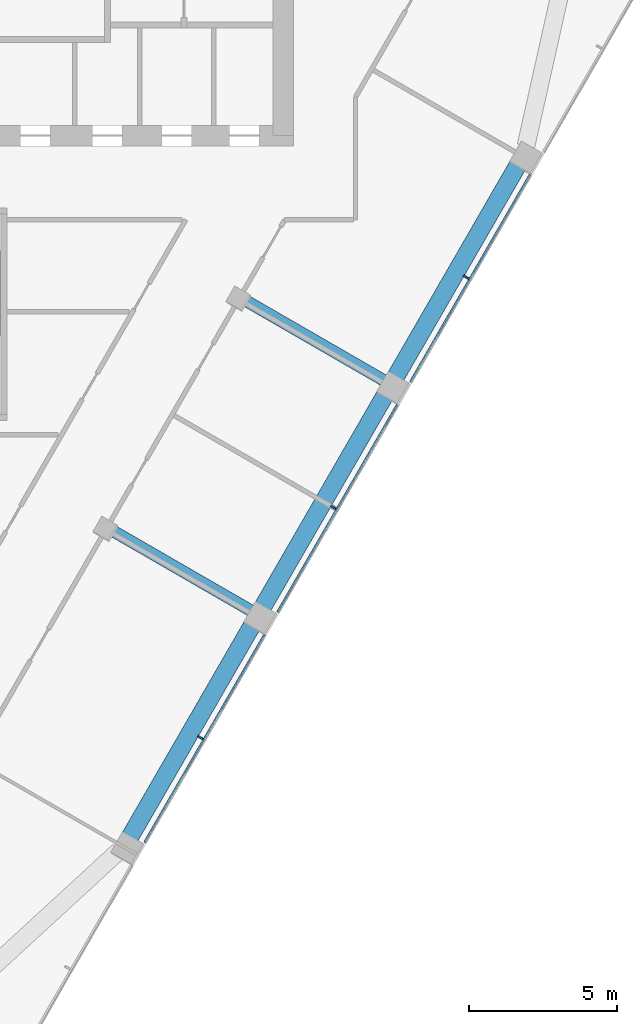
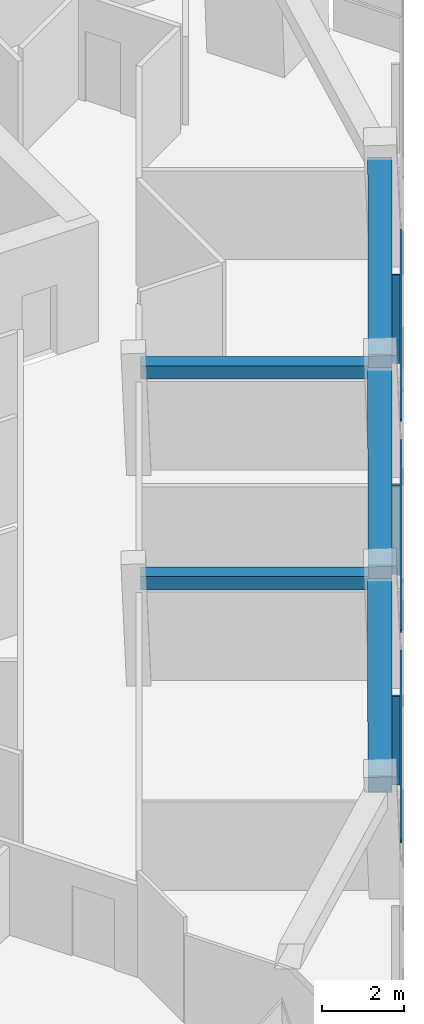
# One storey, part 4 of 12: 6 members, 5 beams, 1 element without a shape of its own.
"""IFC4 building model written with IfcOpenShell, lengths in metres."""

from ifc_helpers import new_model, si_unit, direction, frame, origin, origin_2d, place, context, subcontext, project, spatial, rectangle, extrude, material, layer, layer_set, material_profile, profile_set, type_object, element, aggregate, save


model = new_model("IFC4")

# Units and contexts
model_context = context("Model", 3, precision=1e-05, world=origin(), true_north=direction((0.0, 1.0)))
body_context = subcontext(model_context, "Body", "Model", "MODEL_VIEW")
ifc_project = project(units=[si_unit("LENGTHUNIT", "METRE"), si_unit("AREAUNIT", "SQUARE_METRE"), si_unit("VOLUMEUNIT", "CUBIC_METRE"), si_unit("PLANEANGLEUNIT", "RADIAN"), si_unit("MASSUNIT", "GRAM", prefix="KILO")], contexts=[model_context])

# Site, building, storey
site_placement = place(None, origin())
site = spatial("IfcSite", under=ifc_project, at=site_placement, CompositionType="ELEMENT")
building_placement = place(site_placement, origin())
building = spatial("IfcBuilding", under=site, at=building_placement, Name="Altiplano Prism Tower", CompositionType="ELEMENT")
storey_placement = place(building_placement, frame((0.0, 0.0, 205.199951171875)))
storey = spatial("IfcBuildingStorey", under=building, at=storey_placement, Name="L53", CompositionType="ELEMENT", Elevation=205.199951171875)

# Curtain wall, members
ifc_material_1 = material(Name="Aluminium and glass", Category="aluminium")
ifc_layer = layer(ifc_material_1, 0.303955078125)
ifc_layer_set = layer_set([ifc_layer], Name="Aluminium and glass")
curtain_wall_type = type_object("IfcCurtainWallType", Name="CW2 lounge-band unitised glazing", PredefinedType="NOTDEFINED", material=ifc_layer_set)
curtain_wall_placement = place(storey_placement, origin())
curtain_wall = element("IfcCurtainWall", 1, at=curtain_wall_placement, inside=storey, type_object=curtain_wall_type, Name="CW2 curtain wall south-east face L53", PredefinedType="NOTDEFINED")
ifc_material_2 = material(Name="Aluminium", Category="aluminium")
ifc_material_profile_1 = material_profile(ifc_material_2, rectangle(XDim=0.199951171875, YDim=0.06005859375, at=origin_2d()), Name="CW2 mullion 60 x 200")
ifc_profile_set_1 = profile_set([ifc_material_profile_1], Name="Aluminium")
member_type_1 = type_object("IfcMemberType", Name="CW2 mullion 60 x 200", PredefinedType="MULLION", material=ifc_profile_set_1)
member_1_placement = place(storey_placement, frame((94.55029296875, 72.665771484375, 0.0), z_axis=(0.0, 0.0, 1.0), x_axis=(-0.866025406943, 0.499999994528, 0.0)))
member_1 = element("IfcMember", 2, at=member_1_placement, type_object=member_type_1, Name="CW2 mullion", PredefinedType="MULLION", context=body_context, shape_type="SweptSolid", body=[
    extrude(rectangle(XDim=0.199951171875, YDim=0.06005859375, at=origin_2d()), origin(), (0.0, 0.0, 1.0), 2.650146484375),
])
member_2_placement = place(storey_placement, frame((99.05029296875, 80.4599609375, 0.0), z_axis=(0.0, 0.0, 1.0), x_axis=(-0.866025406943, 0.499999994528, 0.0)))
member_2 = element("IfcMember", 3, at=member_2_placement, type_object=member_type_1, Name="CW2 mullion", PredefinedType="MULLION", context=body_context, shape_type="SweptSolid", body=[
    extrude(rectangle(XDim=0.199951171875, YDim=0.06005859375, at=origin_2d()), origin(), (0.0, 0.0, 1.0), 2.650146484375),
])
member_3_placement = place(storey_placement, frame((103.55029296875, 88.254150390625, 0.0), z_axis=(0.0, 0.0, 1.0), x_axis=(-0.866025406943, 0.499999994528, 0.0)))
member_3 = element("IfcMember", 4, at=member_3_placement, type_object=member_type_1, Name="CW2 mullion", PredefinedType="MULLION", context=body_context, shape_type="SweptSolid", body=[
    extrude(rectangle(XDim=0.199951171875, YDim=0.06005859375, at=origin_2d()), origin(), (0.0, 0.0, 1.0), 2.650146484375),
])
ifc_material_profile_2 = material_profile(ifc_material_2, rectangle(XDim=0.06005859375, YDim=0.080078125, at=origin_2d()), Name="CW2 transom 80 x 60")
ifc_profile_set_2 = profile_set([ifc_material_profile_2], Name="Aluminium")
member_type_2 = type_object("IfcMemberType", Name="CW2 transom 80 x 60", PredefinedType="USERDEFINED", material=ifc_profile_set_2)
member_4_placement = place(storey_placement, frame((92.65283203125, 69.118896484375, 1.10009765625), z_axis=(0.499990533176, 0.866030869389, 0.0), x_axis=(-0.866030869389, 0.499990533176, 0.0)))
member_4 = element("IfcMember", 5, at=member_4_placement, type_object=member_type_2, Name="CW2 transom", ObjectType="TRANSOM", PredefinedType="USERDEFINED", context=body_context, shape_type="SweptSolid", body=[
    extrude(rectangle(XDim=0.06005859375, YDim=0.080078125, at=origin_2d()), origin(), (0.0, 0.0, 1.0), 8.119873046875),
])
member_5_placement = place(storey_placement, frame((97.15283203125, 76.9130859375, 1.10009765625), z_axis=(0.499977514064, 0.866038385657, 0.0), x_axis=(-0.866038385657, 0.499977514064, 0.0)))
member_5 = element("IfcMember", 6, at=member_5_placement, type_object=member_type_2, Name="CW2 transom", ObjectType="TRANSOM", PredefinedType="USERDEFINED", context=body_context, shape_type="SweptSolid", body=[
    extrude(rectangle(XDim=0.06005859375, YDim=0.080078125, at=origin_2d()), origin(), (0.0, 0.0, 1.0), 8.119873046875),
])
member_6_placement = place(storey_placement, frame((101.65283203125, 84.70751953125, 1.10009765625), z_axis=(0.499990533176, 0.866030869389, 0.0), x_axis=(-0.866030869389, 0.499990533176, 0.0)))
member_6 = element("IfcMember", 7, at=member_6_placement, type_object=member_type_2, Name="CW2 transom", ObjectType="TRANSOM", PredefinedType="USERDEFINED", context=body_context, shape_type="SweptSolid", body=[
    extrude(rectangle(XDim=0.06005859375, YDim=0.080078125, at=origin_2d()), origin(), (0.0, 0.0, 1.0), 8.119873046875),
])
aggregate(curtain_wall, [member_1, member_4, member_2, member_5, member_3, member_6])

# Beams
ifc_material_3 = material(Name="Concrete C60/75", Category="concrete")
ifc_material_profile_3 = material_profile(ifc_material_3, rectangle(XDim=0.60009765625, YDim=0.5, at=origin_2d()), Name="Edge beam 600x500")
ifc_profile_set_3 = profile_set([ifc_material_profile_3], Name="Concrete C60/75")
beam_type_1 = type_object("IfcBeamType", Name="Edge beam 600x500", PredefinedType="SPANDREL", material=ifc_profile_set_3)
for number, where, z_axis, x_axis, name in (
    (8, (92.1474609375, 69.272705078125, 2.900146484375), (0.499993714791, 0.866029032521, 0.0), (-0.866029032521, 0.499993714791, 0.0), "Edge beam P21-P22 L54"),
    (9, (96.6474609375, 77.06689453125, 2.900146484375), (0.499993714791, 0.866029032521, 0.0), (-0.866029032521, 0.499993714791, 0.0), "Edge beam P22-P23 L54"),
    (10, (101.1474609375, 84.861083984375, 2.900146484375), (0.499993714791, 0.866029032521, 0.0), (-0.866029032521, 0.499993714791, 0.0), "Edge beam P23-P24 L54"),
):
    element("IfcBeam", number, at=place(storey_placement, frame(where, z_axis=z_axis, x_axis=x_axis)), inside=storey, type_object=beam_type_1, Name=name, PredefinedType="SPANDREL", context=body_context, shape_type="SweptSolid", body=[
        extrude(rectangle(XDim=0.60009765625, YDim=0.5, at=origin_2d()), origin(), (0.0, 0.0, 1.0), 8.43994140625),
    ])
ifc_material_profile_4 = material_profile(ifc_material_3, rectangle(XDim=0.39990234375, YDim=0.39990234375, at=origin_2d()), Name="Tie beam 400x400")
ifc_profile_set_4 = profile_set([ifc_material_profile_4], Name="Concrete C60/75")
beam_type_2 = type_object("IfcBeamType", Name="Tie beam 400x400", PredefinedType="BEAM", material=ifc_profile_set_4)
beam_1_placement = place(storey_placement, frame((91.423828125, 79.759521484375, 2.949951171875), z_axis=(0.866011758658, -0.500023633308, 0.0), x_axis=(0.500023633308, 0.866011758658, 0.0)))
element("IfcBeam", 11, at=beam_1_placement, inside=storey, type_object=beam_type_2, Name="Tie beam I22 L54", PredefinedType="BEAM", context=body_context, shape_type="SweptSolid", body=[
    extrude(rectangle(XDim=0.39990234375, YDim=0.39990234375, at=origin_2d()), origin(), (0.0, 0.0, 1.0), 5.590087890625),
])
beam_2_placement = place(storey_placement, frame((95.923828125, 87.5537109375, 2.949951171875), z_axis=(0.866030670444, -0.499990877767, 0.0), x_axis=(0.499990877767, 0.866030670444, 0.0)))
element("IfcBeam", 12, at=beam_2_placement, inside=storey, type_object=beam_type_2, Name="Tie beam I23 L54", PredefinedType="BEAM", context=body_context, shape_type="SweptSolid", body=[
    extrude(rectangle(XDim=0.39990234375, YDim=0.39990234375, at=origin_2d()), origin(), (0.0, 0.0, 1.0), 5.58984375),
])

save(model, "model.ifc")
